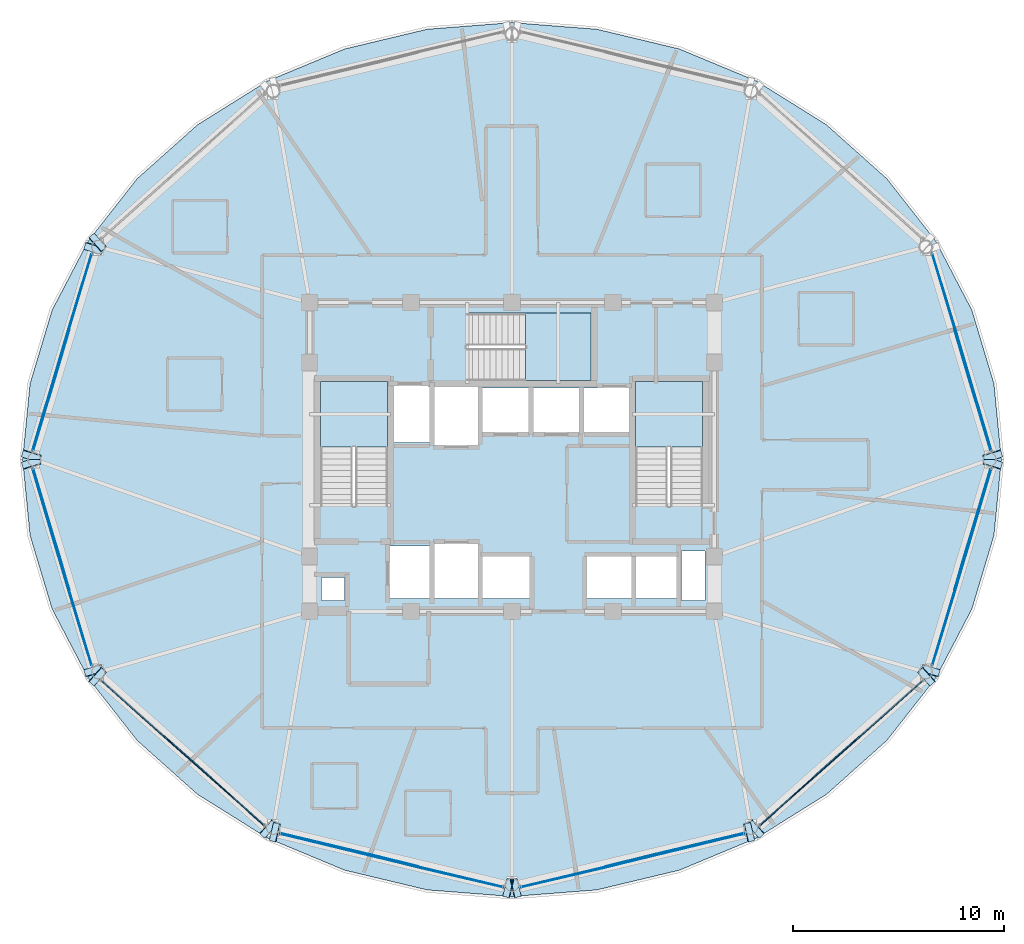
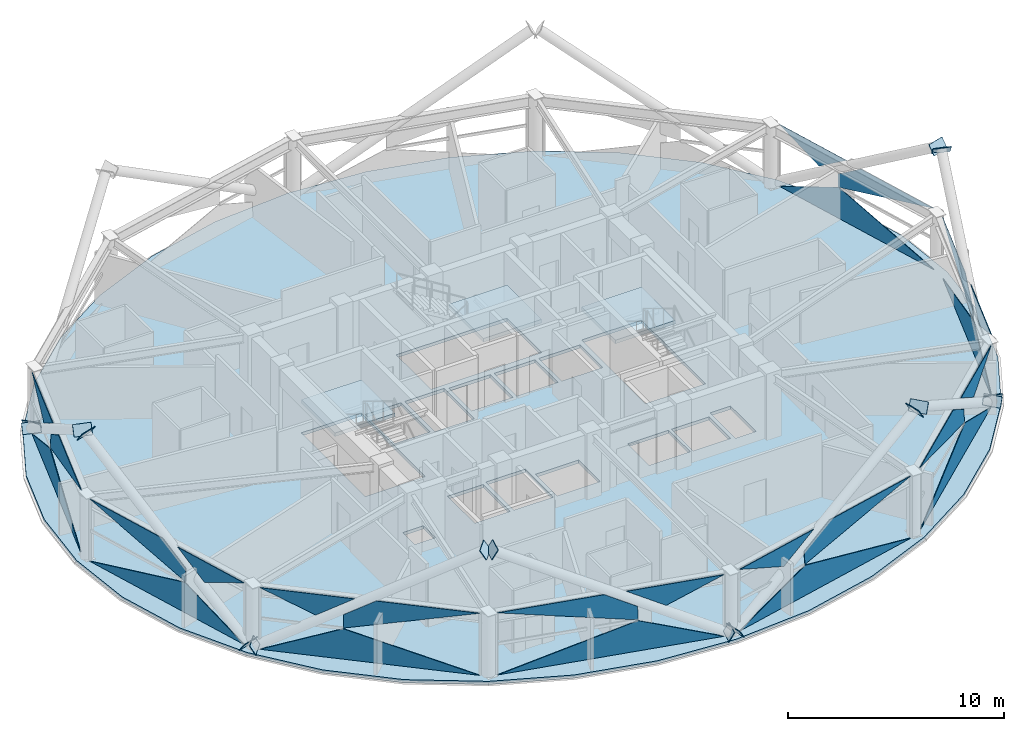
# One storey, part 21 of 30: 40 plates, 4 slabs, 11 elements without a shape of their own.
"""IFC4 building model written with IfcOpenShell, lengths in metres."""

import ifcopenshell
import ifcopenshell.guid

model = None  # the IFC model being written
_history = None  # IfcOwnerHistory: only IFC2X3 demands one
_inside = {}  # id of a spatial element -> (the spatial element, [elements in it])
_under = {}  # id of a project, library or spatial element -> (it, [spatial elements below it])
_declared = {}  # id of a project -> (the project, [libraries it declares])
_typed = {}  # id of a type object -> (the type object, [elements of that type])
_made_of = {}  # id of a material, layer set ... -> (it, [elements and type objects made of it])


def new_model(schema):
    """Start an empty IFC model of exactly this schema.

    Asked for "IFC4X3", IfcOpenShell would pick the latest addendum, in which some entities
    have other attributes; the version numbers below select the first issue.
    IFC2X3 requires an IfcOwnerHistory on every rooted entity: one is made here for all.
    """
    global model, _history
    if schema == "IFC4X3":
        model = ifcopenshell.file(schema_version=(4, 3, 0, 0))
    else:
        model = ifcopenshell.file(schema=schema)
    _inside.clear()
    _under.clear()
    _declared.clear()
    _typed.clear()
    _made_of.clear()
    _history = None
    if model.schema == "IFC2X3":
        org = make("IfcOrganization", Name="unknown")
        user = make(
            "IfcPersonAndOrganization",
            ThePerson=make("IfcPerson", FamilyName="unknown"),
            TheOrganization=org,
        )
        app = make(
            "IfcApplication",
            ApplicationDeveloper=org,
            Version="unknown",
            ApplicationFullName="unknown",
            ApplicationIdentifier="unknown",
        )
        _history = make(
            "IfcOwnerHistory",
            OwningUser=user,
            OwningApplication=app,
            ChangeAction="ADDED",
            CreationDate=0,
        )
    return model


def make(cls, **values):
    """One entity of the class cls with the attributes given. An attribute that is None is left unset."""
    return model.create_entity(
        cls, **{name: value for name, value in values.items() if value is not None}
    )


def rooted(cls, **values):
    """An entity with a GlobalId (a new one), such as an element, a storey or a relation."""
    return make(cls, GlobalId=ifcopenshell.guid.new(), OwnerHistory=_history, **values)


def si_unit(unit_type, name, prefix=None):
    """IfcSIUnit, for example si_unit("LENGTHUNIT", "METRE", prefix="MILLI")."""
    return make("IfcSIUnit", UnitType=unit_type, Prefix=prefix, Name=name)


def assignment(units):
    """IfcUnitAssignment: the units of a project."""
    return None if units is None else make("IfcUnitAssignment", Units=units)


def point(xyz):
    """IfcCartesianPoint."""
    return None if xyz is None else make("IfcCartesianPoint", Coordinates=xyz)


def direction(xyz):
    """IfcDirection."""
    return None if xyz is None else make("IfcDirection", DirectionRatios=xyz)


def frame(location, z_axis=None, x_axis=None):
    """IfcAxis2Placement3D, a coordinate frame: its origin and axes. An axis left out is left unset."""
    return make(
        "IfcAxis2Placement3D",
        Location=point(location),
        Axis=direction(z_axis),
        RefDirection=direction(x_axis),
    )


def origin():
    """The frame at (0, 0, 0) with its axes left unset."""
    return frame((0.0, 0.0, 0.0))


def place(relative_to, where):
    """IfcLocalPlacement: puts the frame where relative to a parent placement (None: the world)."""
    return make(
        "IfcLocalPlacement", PlacementRelTo=relative_to, RelativePlacement=where
    )


def context(
    kind, dimensions, precision=None, world=None, true_north=None, identifier=None
):
    """IfcGeometricRepresentationContext, for example the 3D "Model" context."""
    return make(
        "IfcGeometricRepresentationContext",
        ContextIdentifier=identifier,
        ContextType=kind,
        CoordinateSpaceDimension=dimensions,
        Precision=precision,
        WorldCoordinateSystem=world,
        TrueNorth=true_north,
    )


def subcontext(parent, identifier, kind, view, scale=None):
    """IfcGeometricRepresentationSubContext, for example "Body" below "Model"."""
    return make(
        "IfcGeometricRepresentationSubContext",
        ContextIdentifier=identifier,
        ContextType=kind,
        ParentContext=parent,
        TargetScale=scale,
        TargetView=view,
    )


def project(units=None, contexts=None):
    """IfcProject with its units and contexts."""
    return rooted(
        "IfcProject",
        Name="project",
        RepresentationContexts=contexts,
        UnitsInContext=assignment(units),
    )


def spatial(cls, under=None, at=None, **own):
    """A site, building, storey or space (cls), placed at a placement, below another one or the project."""
    s = rooted(cls, ObjectPlacement=at, **own)
    if under is not None:
        _under.setdefault(under.id(), (under, []))[1].append(s)
    return s


def polyline(points):
    """IfcPolyline through the points."""
    return make("IfcPolyline", Points=[point(p) for p in points])


def outline(outer, holes=None, kind="AREA"):
    """IfcArbitraryClosedProfileDef: a profile drawn as a closed curve; with holes, ...WithVoids."""
    if holes is None:
        return make("IfcArbitraryClosedProfileDef", ProfileType=kind, OuterCurve=outer)
    return make(
        "IfcArbitraryProfileDefWithVoids",
        ProfileType=kind,
        OuterCurve=outer,
        InnerCurves=holes,
    )


def extrude(swept, where, along, depth):
    """IfcExtrudedAreaSolid: the profile swept, set in the frame where, extruded along a direction by depth."""
    return make(
        "IfcExtrudedAreaSolid",
        SweptArea=swept,
        Position=where,
        ExtrudedDirection=direction(along),
        Depth=depth,
    )


def shape(context_of_items, identifier, shape_type, items):
    """IfcShapeRepresentation: the items that make up one representation, for example the "Body"."""
    return make(
        "IfcShapeRepresentation",
        ContextOfItems=context_of_items,
        RepresentationIdentifier=identifier,
        RepresentationType=shape_type,
        Items=items,
    )


def material(Name=None, Category=None):
    """IfcMaterial."""
    return make("IfcMaterial", Name=Name, Category=Category)


def layer(
    of_material, thickness, ventilated=None, Name=None, Category=None, Priority=None
):
    """IfcMaterialLayer: one layer of a wall or slab, of a material (None: an air gap)."""
    return make(
        "IfcMaterialLayer",
        Material=of_material,
        LayerThickness=thickness,
        IsVentilated=ventilated,
        Name=Name,
        Category=Category,
        Priority=Priority,
    )


def layer_set(layers, Name=None):
    """IfcMaterialLayerSet."""
    return make("IfcMaterialLayerSet", MaterialLayers=layers, LayerSetName=Name)


def made_of(thing, what):
    """Note that an element or type object is made of a material, layer set ...; save() writes the relation."""
    if what is not None:
        _made_of.setdefault(what.id(), (what, []))[1].append(thing)
    return thing


def type_object(cls, material=None, **own):
    """A type object (cls), such as IfcWallType, which elements share."""
    return made_of(rooted(cls, **own), material)


def element(
    cls,
    number,
    at=None,
    inside=None,
    cuts=None,
    type_object=None,
    material=None,
    context=None,
    identifier="Body",
    shape_type=None,
    held_by="IfcProductDefinitionShape",
    body=None,
    shapes=None,
    **own,
):
    """One element of the class cls, such as IfcWall. Its Tag is "e" and its number.

    at: its placement. inside: the storey or other place that contains it. cuts: it is an
    opening in that element (IfcRelVoidsElement). A single representation is given by context,
    identifier, shape_type and body (its items); several are given by shapes. held_by: the class
    of the entity that holds the representations. save() writes the other relations.
    """
    e = rooted(cls, Tag="e%d" % number, ObjectPlacement=at, **own)
    if body is not None:
        shapes = [shape(context, identifier, shape_type, body)]
    if shapes is not None:
        e.Representation = make(held_by, Representations=shapes)
    if inside is not None:
        _inside.setdefault(inside.id(), (inside, []))[1].append(e)
    if cuts is not None:
        rooted(
            "IfcRelVoidsElement", RelatingBuildingElement=cuts, RelatedOpeningElement=e
        )
    if type_object is not None:
        _typed.setdefault(type_object.id(), (type_object, []))[1].append(e)
    return made_of(e, material)


def aggregate(whole, parts):
    """IfcRelAggregates: a whole, such as a stair, and the parts it consists of."""
    return rooted("IfcRelAggregates", RelatingObject=whole, RelatedObjects=parts)


def save(model, path):
    """Write the relations noted so far, then the file.

    IfcRelAggregates (storeys below a building ...), IfcRelContainedInSpatialStructure (elements
    in a storey), IfcRelDefinesByType, IfcRelAssociatesMaterial and IfcRelDeclares: one each for
    every whole, place, type object, material and project.
    """
    for whole, parts in _under.values():
        aggregate(whole, parts)
    for where, things in _inside.values():
        rooted(
            "IfcRelContainedInSpatialStructure",
            RelatedElements=things,
            RelatingStructure=where,
        )
    for kind, things in _typed.values():
        rooted("IfcRelDefinesByType", RelatedObjects=things, RelatingType=kind)
    for what, things in _made_of.values():
        rooted("IfcRelAssociatesMaterial", RelatedObjects=things, RelatingMaterial=what)
    for by, libraries in _declared.values():
        rooted("IfcRelDeclares", RelatingContext=by, RelatedDefinitions=libraries)
    model.write(path)


model = new_model("IFC4")

# Units and contexts
model_context = context("Model", 3, precision=1e-05, world=origin(), true_north=direction((0.0, 1.0)))
body_context = subcontext(model_context, "Body", "Model", "MODEL_VIEW")
ifc_project = project(units=[si_unit("LENGTHUNIT", "METRE"), si_unit("AREAUNIT", "SQUARE_METRE"), si_unit("VOLUMEUNIT", "CUBIC_METRE"), si_unit("PLANEANGLEUNIT", "RADIAN"), si_unit("MASSUNIT", "GRAM", prefix="KILO")], contexts=[model_context])

# Site, building, storey
site_placement = place(None, origin())
site = spatial("IfcSite", under=ifc_project, at=site_placement, CompositionType="ELEMENT")
building_placement = place(site_placement, origin())
building = spatial("IfcBuilding", under=site, at=building_placement, Name="Vantalir Tower", CompositionType="ELEMENT")
storey_placement = place(building_placement, frame((0.0, 0.0, 189.89990234375)))
storey = spatial("IfcBuildingStorey", under=building, at=storey_placement, Name="L47", CompositionType="ELEMENT", Elevation=189.89990234375)

# Curtain wall, plates
ifc_material_1 = material(Name="Champagne-silver PVDF aluminium and double-silver Low-E glass", Category="aluminium")
ifc_layer_1 = layer(ifc_material_1, 0.2099609375)
ifc_layer_set_1 = layer_set([ifc_layer_1], Name="Champagne-silver PVDF aluminium and double-silver Low-E glass")
curtain_wall_type = type_object("IfcCurtainWallType", Name="CW-DIAMOND-Z3", PredefinedType="USERDEFINED", material=ifc_layer_set_1)
curtain_wall_1_placement = place(storey_placement, origin())
curtain_wall_1 = element("IfcCurtainWall", 1, at=curtain_wall_1_placement, inside=storey, type_object=curtain_wall_type, Name="L47 Quilted Pyramid-Diamond Curtain Wall S01", ObjectType="UNITISED CURTAIN WALL", PredefinedType="USERDEFINED")
ifc_material_2 = material(Name="Double-silver Low-E acoustic glass IGU", Category="glass")
ifc_layer_2 = layer(ifc_material_2, 0.031982421875)
ifc_layer_set_2 = layer_set([ifc_layer_2], Name="Double-silver Low-E acoustic glass IGU")
plate_type_1 = type_object("IfcPlateType", Name="CWP-IGU-32", PredefinedType="CURTAIN_PANEL", material=ifc_layer_set_2)
plate_1_placement = place(storey_placement, frame((54.24365234375, 25.406982421875, 0.046630859375), z_axis=(-0.957572197051, -0.28786336354, 0.013790263456), x_axis=(-0.287890080011, 0.95766345829, 4.9877006e-05)))
plate_1 = element("IfcPlate", 2, at=plate_1_placement, type_object=plate_type_1, Name="CW-L47-S01 Pyramid Diamond Facet 1L", PredefinedType="CURTAIN_PANEL", context=body_context, shape_type="SweptSolid", body=[
    extrude(outline(polyline([(0.0, 0.0), (9.789706456344458, 1.0842021724855044e-18), (6.064685400693235, -1.7259358521380224), (0.0, 0.0)])), origin(), (0.0, 0.0, -1.0), 0.031982421875),
])
plate_2_placement = place(storey_placement, frame((54.24365234375, 25.406982421875, 3.5234375), z_axis=(0.957578572553, 0.287844572591, 0.0137397022), x_axis=(-0.287871747167, 0.957668970565, 8.8367e-08)))
plate_2 = element("IfcPlate", 3, at=plate_2_placement, type_object=plate_type_1, Name="CW-L47-S01 Pyramid Diamond Facet 2U", PredefinedType="CURTAIN_PANEL", context=body_context, shape_type="SweptSolid", body=[
    extrude(outline(polyline([(0.0, 0.0), (4.605868347183028, 0.0), (6.064605261320112, -0.9817826635893582), (6.06459961884389, -1.7259931307063814), (0.0, 0.0)])), origin(), (0.0, 0.0, -1.0), 0.031982421875),
])
plate_3_placement = place(storey_placement, frame((52.668701171875, 30.770751953125, 3.523681640625), z_axis=(0.95757354259, 0.287859174583, 0.013784271486), x_axis=(-0.287886525986, 0.957664527982, 0.0)))
plate_3 = element("IfcPlate", 4, at=plate_3_placement, type_object=plate_type_1, Name="CW-L47-S01 Pyramid Diamond Facet 2U Infill Light", PredefinedType="CURTAIN_PANEL", context=body_context, shape_type="SweptSolid", body=[
    extrude(outline(polyline([(0.0, 0.0), (4.199517052279393, -3.469446951953614e-18), (1.7124565898056394, -1.152209077975093), (0.0, 0.0)])), origin(), (0.0, 0.0, -1.0), 0.031982421875),
])
aggregate(curtain_wall_1, [plate_1, plate_2, plate_3])

curtain_wall_2_placement = place(storey_placement, origin())
curtain_wall_2 = element("IfcCurtainWall", 5, at=curtain_wall_2_placement, inside=storey, type_object=curtain_wall_type, Name="L47 Quilted Pyramid-Diamond Curtain Wall S06", ObjectType="UNITISED CURTAIN WALL", PredefinedType="USERDEFINED")
plate_4_placement = place(storey_placement, frame((11.57470703125, 34.7822265625, 0.047119140625), z_axis=(0.957572197051, -0.28786336354, 0.013790263456), x_axis=(-0.287890080011, -0.95766345829, -4.9877006e-05)))
plate_4 = element("IfcPlate", 6, at=plate_4_placement, type_object=plate_type_1, Name="CW-L47-S06 Pyramid Diamond Facet 1L", PredefinedType="CURTAIN_PANEL", context=body_context, shape_type="SweptSolid", body=[
    extrude(outline(polyline([(0.0, 0.0), (9.789706456344458, -1.0842021724855044e-18), (3.725021055651224, -1.7259358521380221), (0.0, 0.0)])), origin(), (0.0, 0.0, -1.0), 0.031982421875),
])
plate_5_placement = place(storey_placement, frame((10.082275390625, 29.81787109375, 3.5234375), z_axis=(-0.957578572553, 0.287844572591, 0.0137397022), x_axis=(-0.287871747167, -0.957668970565, -8.8367e-08)))
plate_5 = element("IfcPlate", 7, at=plate_5_placement, type_object=plate_type_1, Name="CW-L47-S06 Pyramid Diamond Facet 2U", PredefinedType="CURTAIN_PANEL", context=body_context, shape_type="SweptSolid", body=[
    extrude(outline(polyline([(0.0, 0.0), (4.605868347183028, 0.0), (-1.4587312716608622, -1.7259931307063814), (-1.4587369141370834, -0.9817826635893582), (0.0, 0.0)])), origin(), (0.0, 0.0, -1.0), 0.031982421875),
])
plate_6_placement = place(storey_placement, frame((11.540283203125, 34.79248046875, 3.523681640625), z_axis=(-0.95757354259, 0.287859174583, 0.013784271486), x_axis=(-0.287886525986, -0.957664527982, 0.0)))
plate_6 = element("IfcPlate", 8, at=plate_6_placement, type_object=plate_type_1, Name="CW-L47-S06 Pyramid Diamond Facet 2U Infill Light", PredefinedType="CURTAIN_PANEL", context=body_context, shape_type="SweptSolid", body=[
    extrude(outline(polyline([(0.0, 0.0), (4.199517052279393, 3.469446951953614e-18), (2.487060462473754, -1.152209077975093), (0.0, 0.0)])), origin(), (0.0, 0.0, -1.0), 0.031982421875),
])
aggregate(curtain_wall_2, [plate_4, plate_5, plate_6])

curtain_wall_3_placement = place(storey_placement, origin())
curtain_wall_3 = element("IfcCurtainWall", 9, at=curtain_wall_3_placement, inside=storey, type_object=curtain_wall_type, Name="L47 Quilted Pyramid-Diamond Curtain Wall S07", ObjectType="UNITISED CURTAIN WALL", PredefinedType="USERDEFINED")
plate_7_placement = place(storey_placement, frame((8.75634765625, 24.593017578125, 0.046630859375), z_axis=(0.957572197051, 0.28786336354, 0.013790263456), x_axis=(0.287890080011, -0.95766345829, 4.9877006e-05)))
plate_7 = element("IfcPlate", 10, at=plate_7_placement, type_object=plate_type_1, Name="CW-L47-S07 Pyramid Diamond Facet 1L", PredefinedType="CURTAIN_PANEL", context=body_context, shape_type="SweptSolid", body=[
    extrude(outline(polyline([(0.0, 0.0), (9.789706456344458, 1.0842021724855044e-18), (6.064685400693235, -1.7259358521380224), (0.0, 0.0)])), origin(), (0.0, 0.0, -1.0), 0.031982421875),
])
plate_8_placement = place(storey_placement, frame((8.75634765625, 24.593017578125, 3.5234375), z_axis=(-0.957578572553, -0.287844572591, 0.0137397022), x_axis=(0.287871747167, -0.957668970565, 8.8367e-08)))
plate_8 = element("IfcPlate", 11, at=plate_8_placement, type_object=plate_type_1, Name="CW-L47-S07 Pyramid Diamond Facet 2U", PredefinedType="CURTAIN_PANEL", context=body_context, shape_type="SweptSolid", body=[
    extrude(outline(polyline([(0.0, 0.0), (4.605868347183028, 0.0), (6.064605261320112, -0.9817826635893582), (6.06459961884389, -1.7259931307063814), (0.0, 0.0)])), origin(), (0.0, 0.0, -1.0), 0.031982421875),
])
plate_9_placement = place(storey_placement, frame((10.331298828125, 19.229248046875, 3.523681640625), z_axis=(-0.95757354259, -0.287859174583, 0.013784271486), x_axis=(0.287886525986, -0.957664527982, 0.0)))
plate_9 = element("IfcPlate", 12, at=plate_9_placement, type_object=plate_type_1, Name="CW-L47-S07 Pyramid Diamond Facet 2U Infill Light", PredefinedType="CURTAIN_PANEL", context=body_context, shape_type="SweptSolid", body=[
    extrude(outline(polyline([(0.0, 0.0), (4.199517052279393, -3.469446951953614e-18), (1.7124565898056394, -1.152209077975093), (0.0, 0.0)])), origin(), (0.0, 0.0, -1.0), 0.031982421875),
])
aggregate(curtain_wall_3, [plate_7, plate_8, plate_9])

curtain_wall_4_placement = place(storey_placement, origin())
curtain_wall_4 = element("IfcCurtainWall", 13, at=curtain_wall_4_placement, inside=storey, type_object=curtain_wall_type, Name="L47 Quilted Pyramid-Diamond Curtain Wall S08", ObjectType="UNITISED CURTAIN WALL", PredefinedType="USERDEFINED")
plate_10_placement = place(storey_placement, frame((12.01416015625, 14.5283203125, 0.046875), z_axis=(0.665244579189, 0.746503080153, 0.013520398768), x_axis=(0.746571532091, -0.665305153231, -2.3562302e-05)))
plate_10 = element("IfcPlate", 14, at=plate_10_placement, type_object=plate_type_1, Name="CW-L47-S08 Pyramid Diamond Facet 1L", PredefinedType="CURTAIN_PANEL", context=body_context, shape_type="SweptSolid", body=[
    extrude(outline(polyline([(0.0, 0.0), (10.361492999146593, 4.7704895589362195e-18), (3.9384075303924373, -1.726324811496382), (0.0, 0.0)])), origin(), (0.0, 0.0, -1.0), 0.031982421875),
])
plate_11_placement = place(storey_placement, frame((16.103759765625, 10.884033203125, 3.5234375), z_axis=(-0.665226089635, -0.74651876748, 0.013563903159), x_axis=(0.746587443318, -0.665287298451, -6.31857e-07)))
plate_11 = element("IfcPlate", 15, at=plate_11_placement, type_object=plate_type_1, Name="CW-L47-S08 Pyramid Diamond Facet 2U", PredefinedType="CURTAIN_PANEL", context=body_context, shape_type="SweptSolid", body=[
    extrude(outline(polyline([(0.0, 0.0), (4.8837513509736326, 6.938893903907228e-18), (-1.5392929092653138, -1.7262339944749026), (-1.539244735768572, -0.983004645162473), (0.0, 0.0)])), origin(), (0.0, 0.0, -1.0), 0.031982421875),
])
plate_12_placement = place(storey_placement, frame((11.990234375, 14.50146484375, 3.523681640625), z_axis=(-0.665250718427, -0.74649531771, 0.01364632808), x_axis=(0.746565330812, -0.665312110087, 5.4789764e-05)))
plate_12 = element("IfcPlate", 16, at=plate_12_placement, type_object=plate_type_1, Name="CW-L47-S08 Pyramid Diamond Facet 2U Infill Light", PredefinedType="CURTAIN_PANEL", context=body_context, shape_type="SweptSolid", body=[
    extrude(outline(polyline([(0.0, 0.0), (4.45595317510096, 3.9302328752599536e-18), (2.6422688432372192, -1.1582116028192906), (0.0, 0.0)])), origin(), (0.0, 0.0, -1.0), 0.031982421875),
])
aggregate(curtain_wall_4, [plate_10, plate_11, plate_12])

curtain_wall_5_placement = place(storey_placement, origin())
curtain_wall_5 = element("IfcCurtainWall", 17, at=curtain_wall_5_placement, inside=storey, type_object=curtain_wall_type, Name="L47 Quilted Pyramid-Diamond Curtain Wall S09", ObjectType="UNITISED CURTAIN WALL", PredefinedType="USERDEFINED")
plate_13_placement = place(storey_placement, frame((20.480224609375, 7.253173828125, 0.046630859375), z_axis=(0.232216660483, 0.972566698325, 0.013763716923), x_axis=(0.972658761071, -0.232238958857, 2.2388794e-05)))
plate_13 = element("IfcPlate", 18, at=plate_13_placement, type_object=plate_type_1, Name="CW-L47-S09 Pyramid Diamond Facet 1L", PredefinedType="CURTAIN_PANEL", context=body_context, shape_type="SweptSolid", body=[
    extrude(outline(polyline([(0.0, 0.0), (10.904590321916928, -3.7947076036992655e-19), (6.7556953093194325, -1.7265747973905767), (0.0, 0.0)])), origin(), (0.0, 0.0, -1.0), 0.031982421875),
])
plate_14_placement = place(storey_placement, frame((20.480224609375, 7.253173828125, 3.523681640625), z_axis=(-0.232210591494, -0.972567829061, 0.013786191413), x_axis=(0.972660111943, -0.232233297324, -4.7431306e-05)))
plate_14 = element("IfcPlate", 19, at=plate_14_placement, type_object=plate_type_1, Name="CW-L47-S09 Pyramid Diamond Facet 2U", PredefinedType="CURTAIN_PANEL", context=body_context, shape_type="SweptSolid", body=[
    extrude(outline(polyline([(0.0, 0.0), (5.148072607512389, -4.960224939121183e-18), (6.755753025522444, -0.9792648179176363), (6.755738402443058, -1.726406175004286), (0.0, 0.0)])), origin(), (0.0, 0.0, -1.0), 0.031982421875),
])
plate_15_placement = place(storey_placement, frame((26.50732421875, 5.777099609375, 3.52392578125), z_axis=(-0.232244864298, -0.972561081245, 0.013684526107), x_axis=(0.972652157973, -0.232266613165, 0.0)))
plate_15 = element("IfcPlate", 20, at=plate_15_placement, type_object=plate_type_1, Name="CW-L47-S09 Pyramid Diamond Facet 2U Infill Light", PredefinedType="CURTAIN_PANEL", context=body_context, shape_type="SweptSolid", body=[
    extrude(outline(polyline([(0.0, 0.0), (4.699567964155936, 1.734723475976807e-18), (1.9074195960909428, -1.1619740387322766), (0.0, 0.0)])), origin(), (0.0, 0.0, -1.0), 0.031982421875),
])
aggregate(curtain_wall_5, [plate_13, plate_14, plate_15])

curtain_wall_6_placement = place(storey_placement, origin())
curtain_wall_6 = element("IfcCurtainWall", 21, at=curtain_wall_6_placement, inside=storey, type_object=curtain_wall_type, Name="L47 Quilted Pyramid-Diamond Curtain Wall S10", ObjectType="UNITISED CURTAIN WALL", PredefinedType="USERDEFINED")
plate_16_placement = place(storey_placement, frame((31.913330078125, 4.720703125, 0.046875), z_axis=(-0.232216660483, 0.972566698325, 0.013763716923), x_axis=(0.972658761071, 0.232238958857, -2.2388794e-05)))
plate_16 = element("IfcPlate", 22, at=plate_16_placement, type_object=plate_type_1, Name="CW-L47-S10 Pyramid Diamond Facet 1L", PredefinedType="CURTAIN_PANEL", context=body_context, shape_type="SweptSolid", body=[
    extrude(outline(polyline([(0.0, 0.0), (10.904590321916928, 3.7947076036992655e-19), (4.148895012597495, -1.7265747973905767), (0.0, 0.0)])), origin(), (0.0, 0.0, -1.0), 0.031982421875),
])
plate_17_placement = place(storey_placement, frame((37.512451171875, 6.0576171875, 3.5234375), z_axis=(0.232210591494, -0.972567829061, 0.013786191413), x_axis=(0.972660111943, 0.232233297324, 4.7431306e-05)))
plate_17 = element("IfcPlate", 23, at=plate_17_placement, type_object=plate_type_1, Name="CW-L47-S10 Pyramid Diamond Facet 2U", PredefinedType="CURTAIN_PANEL", context=body_context, shape_type="SweptSolid", body=[
    extrude(outline(polyline([(0.0, 0.0), (5.148072607512389, 4.960224939121183e-18), (-1.6076657949306692, -1.7264061750042863), (-1.6076804180100557, -0.9792648179176363), (0.0, 0.0)])), origin(), (0.0, 0.0, -1.0), 0.031982421875),
])
plate_18_placement = place(storey_placement, frame((31.921630859375, 4.685546875, 3.52392578125), z_axis=(0.232244864298, -0.972561081245, 0.013684526107), x_axis=(0.972652157973, 0.232266613165, 0.0)))
plate_18 = element("IfcPlate", 24, at=plate_18_placement, type_object=plate_type_1, Name="CW-L47-S10 Pyramid Diamond Facet 2U Infill Light", PredefinedType="CURTAIN_PANEL", context=body_context, shape_type="SweptSolid", body=[
    extrude(outline(polyline([(0.0, 0.0), (4.699567964155936, -1.734723475976807e-18), (2.792148368064993, -1.1619740387322766), (0.0, 0.0)])), origin(), (0.0, 0.0, -1.0), 0.031982421875),
])
aggregate(curtain_wall_6, [plate_16, plate_17, plate_18])

curtain_wall_7_placement = place(storey_placement, origin())
curtain_wall_7 = element("IfcCurtainWall", 25, at=curtain_wall_7_placement, inside=storey, type_object=curtain_wall_type, Name="L47 Quilted Pyramid-Diamond Curtain Wall S11", ObjectType="UNITISED CURTAIN WALL", PredefinedType="USERDEFINED")
plate_19_placement = place(storey_placement, frame((43.250244140625, 7.634765625, 0.046630859375), z_axis=(-0.665244579189, 0.746503080153, 0.013520398768), x_axis=(0.746571532091, 0.665305153231, 2.3562302e-05)))
plate_19 = element("IfcPlate", 26, at=plate_19_placement, type_object=plate_type_1, Name="CW-L47-S11 Pyramid Diamond Facet 1L", PredefinedType="CURTAIN_PANEL", context=body_context, shape_type="SweptSolid", body=[
    extrude(outline(polyline([(0.0, 0.0), (10.361492999146593, -4.7704895589362195e-18), (6.423085468754156, -1.726324811496382), (0.0, 0.0)])), origin(), (0.0, 0.0, -1.0), 0.031982421875),
])
plate_20_placement = place(storey_placement, frame((43.250244140625, 7.634765625, 3.5234375), z_axis=(0.665226089635, -0.74651876748, 0.013563903159), x_axis=(0.746587443318, 0.665287298451, 6.31857e-07)))
plate_20 = element("IfcPlate", 27, at=plate_20_placement, type_object=plate_type_1, Name="CW-L47-S11 Pyramid Diamond Facet 2U", PredefinedType="CURTAIN_PANEL", context=body_context, shape_type="SweptSolid", body=[
    extrude(outline(polyline([(0.0, 0.0), (4.8837513509736326, -6.938893903907228e-18), (6.422996086742205, -0.983004645162473), (6.423044260238947, -1.7262339944749026), (0.0, 0.0)])), origin(), (0.0, 0.0, -1.0), 0.031982421875),
])
plate_21_placement = place(storey_placement, frame((47.68310546875, 11.536865234375, 3.52392578125), z_axis=(0.665250718427, -0.74649531771, 0.01364632808), x_axis=(0.746565330812, 0.665312110087, -5.4789764e-05)))
plate_21 = element("IfcPlate", 28, at=plate_21_placement, type_object=plate_type_1, Name="CW-L47-S11 Pyramid Diamond Facet 2U Infill Light", PredefinedType="CURTAIN_PANEL", context=body_context, shape_type="SweptSolid", body=[
    extrude(outline(polyline([(0.0, 0.0), (4.45595317510096, -3.9302328752599536e-18), (1.8136843318637406, -1.1582116028192908), (0.0, 0.0)])), origin(), (0.0, 0.0, -1.0), 0.031982421875),
])
aggregate(curtain_wall_7, [plate_19, plate_20, plate_21])

curtain_wall_8_placement = place(storey_placement, origin())
curtain_wall_8 = element("IfcCurtainWall", 29, at=curtain_wall_8_placement, inside=storey, type_object=curtain_wall_type, Name="L47 Quilted Pyramid-Diamond Curtain Wall S12", ObjectType="UNITISED CURTAIN WALL", PredefinedType="USERDEFINED")
plate_22_placement = place(storey_placement, frame((51.42529296875, 15.2177734375, 0.047119140625), z_axis=(-0.957572197051, 0.28786336354, 0.013790263456), x_axis=(0.287890080011, 0.95766345829, -4.9877006e-05)))
plate_22 = element("IfcPlate", 30, at=plate_22_placement, type_object=plate_type_1, Name="CW-L47-S12 Pyramid Diamond Facet 1L", PredefinedType="CURTAIN_PANEL", context=body_context, shape_type="SweptSolid", body=[
    extrude(outline(polyline([(0.0, 0.0), (9.789706456344458, -1.0842021724855044e-18), (3.725021055651224, -1.7259358521380221), (0.0, 0.0)])), origin(), (0.0, 0.0, -1.0), 0.031982421875),
])
plate_23_placement = place(storey_placement, frame((52.917724609375, 20.18212890625, 3.5234375), z_axis=(0.957578572553, -0.287844572591, 0.0137397022), x_axis=(0.287871747167, 0.957668970565, -8.8367e-08)))
plate_23 = element("IfcPlate", 31, at=plate_23_placement, type_object=plate_type_1, Name="CW-L47-S12 Pyramid Diamond Facet 2U", PredefinedType="CURTAIN_PANEL", context=body_context, shape_type="SweptSolid", body=[
    extrude(outline(polyline([(0.0, 0.0), (4.605868347183028, 0.0), (-1.4587312716608622, -1.7259931307063814), (-1.4587369141370834, -0.9817826635893582), (0.0, 0.0)])), origin(), (0.0, 0.0, -1.0), 0.031982421875),
])
plate_24_placement = place(storey_placement, frame((51.459716796875, 15.20751953125, 3.523681640625), z_axis=(0.95757354259, -0.287859174583, 0.013784271486), x_axis=(0.287886525986, 0.957664527982, 0.0)))
plate_24 = element("IfcPlate", 32, at=plate_24_placement, type_object=plate_type_1, Name="CW-L47-S12 Pyramid Diamond Facet 2U Infill Light", PredefinedType="CURTAIN_PANEL", context=body_context, shape_type="SweptSolid", body=[
    extrude(outline(polyline([(0.0, 0.0), (4.199517052279393, 3.469446951953614e-18), (2.487060462473754, -1.152209077975093), (0.0, 0.0)])), origin(), (0.0, 0.0, -1.0), 0.031982421875),
])
aggregate(curtain_wall_8, [plate_22, plate_23, plate_24])

# Plates
ifc_material_3 = material(Name="Steel S460", Category="steel")
ifc_layer_3 = layer(ifc_material_3, 0.035888671875)
ifc_layer_set_3 = layer_set([ifc_layer_3], Name="Steel S460")
plate_type_2 = type_object("IfcPlateType", Name="PLT-KN-Z2", PredefinedType="USERDEFINED", material=ifc_layer_set_3)
plate_25_placement = place(storey_placement, frame((53.9453125, 24.870849609375, 6.892333984375), z_axis=(0.238910999387, -0.794528680043, 0.558252372106), x_axis=(0.957642842649, 0.287958653149, 0.0)))
element("IfcPlate", 33, at=plate_25_placement, inside=storey, type_object=plate_type_2, Name="Node Cap Plate MEM-DG-L47-R04R End", ObjectType="FLANGE_PLATE", PredefinedType="USERDEFINED", context=body_context, shape_type="SweptSolid", body=[
    extrude(outline(polyline([(0.0, 0.0), (0.8800498473614676, 0.0), (0.8800224849608475, 0.5799902126825969), (-2.7362400620206673e-05, 0.5799902126825969), (0.0, 0.0)])), origin(), (0.0, 0.0, -1.0), 0.035888671875),
])
for number, where, z_axis, x_axis, name in (
    (34, (11.174560546875, 34.9794921875, -0.033203125), (-0.238910999387, -0.794528680043, 0.558252372106), (0.957642842649, -0.287958653149, 0.0), "Node Cap Plate MEM-DG-L47-R16L Start"),
    (35, (8.2119140625, 25.124267578125, 6.892333984375), (-0.238910999387, -0.794528680043, 0.558252372106), (0.957642842649, -0.287958653149, 0.0), "Node Cap Plate MEM-DG-L47-R16L End"),
):
    element("IfcPlate", number, at=place(storey_placement, frame(where, z_axis=z_axis, x_axis=x_axis)), inside=storey, type_object=plate_type_2, Name=name, ObjectType="FLANGE_PLATE", PredefinedType="USERDEFINED", context=body_context, shape_type="SweptSolid", body=[
        extrude(outline(polyline([(0.0, 0.0), (0.8800498473614676, 0.0), (0.8800772097620879, 0.5799902126825969), (2.7362400620206673e-05, 0.5799902126825969), (0.0, 0.0)])), origin(), (0.0, 0.0, -1.0), 0.035888671875),
    ])
plate_26_placement = place(storey_placement, frame((12.249755859375, 35.09228515625, -0.04150390625), z_axis=(0.629128465513, 0.560628041732, 0.538417656383), x_axis=(-0.665293215937, 0.746582170178, 0.0)))
element("IfcPlate", 36, at=plate_26_placement, inside=storey, type_object=plate_type_2, Name="Node Cap Plate MEM-DG-L47-R16R Start", ObjectType="FLANGE_PLATE", PredefinedType="USERDEFINED", context=body_context, shape_type="SweptSolid", body=[
    extrude(outline(polyline([(0.0, 0.0), (0.8799867558024528, -2.7755575615628914e-17), (0.8799900747473969, 0.5800192446545094), (3.3189449440564434e-06, 0.5800192446545095), (0.0, 0.0)])), origin(), (0.0, 0.0, -1.0), 0.035888671875),
])
for number, where, z_axis, x_axis, name in (
    (37, (11.664306640625, 14.250732421875, -0.04150390625), (0.629128465513, -0.560628041732, 0.538417656383), (0.665293215937, 0.746582170178, 0.0), "Node Cap Plate MEM-DG-L47-R22L Start"),
    (38, (19.77001953125, 7.02734375, 6.892333984375), (0.629128465513, -0.560628041732, 0.538417656383), (0.665293215937, 0.746582170178, 0.0), "Node Cap Plate MEM-DG-L47-R22L End"),
):
    element("IfcPlate", number, at=place(storey_placement, frame(where, z_axis=z_axis, x_axis=x_axis)), inside=storey, type_object=plate_type_2, Name=name, ObjectType="FLANGE_PLATE", PredefinedType="USERDEFINED", context=body_context, shape_type="SweptSolid", body=[
        extrude(outline(polyline([(0.0, 0.0), (0.8799867558024528, 2.7755575615628914e-17), (0.8799834368575088, 0.5800192446545095), (-3.3189449440564434e-06, 0.5800192446545095), (0.0, 0.0)])), origin(), (0.0, 0.0, -1.0), 0.035888671875),
    ])
for number, where, z_axis, x_axis, name in (
    (39, (12.017333984375, 15.27392578125, -0.033203125), (-0.238910999387, 0.794528680043, 0.558252372106), (-0.957642842649, -0.287958653149, 0.0), "Node Cap Plate MEM-DG-L47-R22R Start"),
    (40, (9.0546875, 25.129150390625, 6.892333984375), (-0.238910999387, 0.794528680043, 0.558252372106), (-0.957642842649, -0.287958653149, 0.0), "Node Cap Plate MEM-DG-L47-R22R End"),
):
    element("IfcPlate", number, at=place(storey_placement, frame(where, z_axis=z_axis, x_axis=x_axis)), inside=storey, type_object=plate_type_2, Name=name, ObjectType="FLANGE_PLATE", PredefinedType="USERDEFINED", context=body_context, shape_type="SweptSolid", body=[
        extrude(outline(polyline([(0.0, 0.0), (0.8800498473614676, 0.0), (0.8800224849608475, 0.5799902126825969), (-2.7362400620206673e-05, 0.5799902126825969), (0.0, 0.0)])), origin(), (0.0, 0.0, -1.0), 0.035888671875),
    ])
plate_27_placement = place(storey_placement, frame((31.938232421875, 4.2744140625, -0.049072265625), z_axis=(0.83068700675, 0.19834118518, 0.520211371539), x_axis=(-0.232247903057, 0.972656625598, 1.4316335e-05)))
element("IfcPlate", 41, at=plate_27_placement, inside=storey, type_object=plate_type_2, Name="Node Cap Plate MEM-DG-L47-R28L Start", ObjectType="FLANGE_PLATE", PredefinedType="USERDEFINED", context=body_context, shape_type="SweptSolid", body=[
    extrude(outline(polyline([(0.0, 0.0), (0.8797736737259441, -1.3877787807814457e-17), (0.8797830916388361, 0.5800081455483487), (-0.00022804708359186858, 0.5800376450338418), (0.0, 0.0)])), origin(), (0.0, 0.0, -1.0), 0.035888671875),
])
plate_28_placement = place(storey_placement, frame((43.0224609375, 6.9208984375, 6.892578125), z_axis=(0.830714517152, 0.198319466873, 0.52017572036), x_axis=(-0.232208086854, 0.972666132031, 0.0)))
element("IfcPlate", 42, at=plate_28_placement, inside=storey, type_object=plate_type_2, Name="Node Cap Plate MEM-DG-L47-R28L End", ObjectType="FLANGE_PLATE", PredefinedType="USERDEFINED", context=body_context, shape_type="SweptSolid", body=[
    extrude(outline(polyline([(0.0, 0.0), (0.8800111395499287, 1.3877787807814457e-17), (0.8800011152592917, 0.5800081460435234), (-1.002429063711612e-05, 0.5800081460435234), (0.0, 0.0)])), origin(), (0.0, 0.0, -1.0), 0.035888671875),
])
plate_29_placement = place(storey_placement, frame((31.26611328125, 5.130126953125, -0.049072265625), z_axis=(-0.83068700675, 0.19834118518, 0.520211371539), x_axis=(-0.232247903057, -0.972656625598, -1.4316335e-05)))
element("IfcPlate", 43, at=plate_29_placement, inside=storey, type_object=plate_type_2, Name="Node Cap Plate MEM-DG-L47-R28R Start", ObjectType="FLANGE_PLATE", PredefinedType="USERDEFINED", context=body_context, shape_type="SweptSolid", body=[
    extrude(outline(polyline([(0.0, 0.0), (0.8797736737259441, 1.3877787807814457e-17), (0.880001720809536, 0.5800376450338418), (-9.417912892116755e-06, 0.5800081455483487), (0.0, 0.0)])), origin(), (0.0, 0.0, -1.0), 0.035888671875),
])
plate_30_placement = place(storey_placement, frame((20.181884765625, 7.77685546875, 6.892578125), z_axis=(-0.830714517152, 0.198319466873, 0.52017572036), x_axis=(-0.232208086854, -0.972666132031, 0.0)))
element("IfcPlate", 44, at=plate_30_placement, inside=storey, type_object=plate_type_2, Name="Node Cap Plate MEM-DG-L47-R28R End", ObjectType="FLANGE_PLATE", PredefinedType="USERDEFINED", context=body_context, shape_type="SweptSolid", body=[
    extrude(outline(polyline([(0.0, 0.0), (0.8800111395499287, -1.3877787807814457e-17), (0.8800211638405658, 0.5800081460435234), (1.002429063711612e-05, 0.5800081460435234), (0.0, 0.0)])), origin(), (0.0, 0.0, -1.0), 0.035888671875),
])
for number, where, z_axis, x_axis, name in (
    (45, (51.825439453125, 15.0205078125, -0.033203125), (0.238910999387, 0.794528680043, 0.558252372106), (-0.957642842649, 0.287958653149, 0.0), "Node Cap Plate MEM-DG-L47-R34L Start"),
    (46, (54.7880859375, 24.875732421875, 6.892333984375), (0.238910999387, 0.794528680043, 0.558252372106), (-0.957642842649, 0.287958653149, 0.0), "Node Cap Plate MEM-DG-L47-R34L End"),
):
    element("IfcPlate", number, at=place(storey_placement, frame(where, z_axis=z_axis, x_axis=x_axis)), inside=storey, type_object=plate_type_2, Name=name, ObjectType="FLANGE_PLATE", PredefinedType="USERDEFINED", context=body_context, shape_type="SweptSolid", body=[
        extrude(outline(polyline([(0.0, 0.0), (0.8800498473614676, 0.0), (0.8800772097620879, 0.5799902126825969), (2.7362400620206673e-05, 0.5799902126825969), (0.0, 0.0)])), origin(), (0.0, 0.0, -1.0), 0.035888671875),
    ])
for number, where, z_axis, x_axis, name in (
    (47, (50.750244140625, 14.90771484375, -0.04150390625), (-0.629128465513, -0.560628041732, 0.538417656383), (0.665293215937, -0.746582170178, 0.0), "Node Cap Plate MEM-DG-L47-R34R Start"),
    (48, (42.64453125, 7.684326171875, 6.892333984375), (-0.629128465513, -0.560628041732, 0.538417656383), (0.665293215937, -0.746582170178, 0.0), "Node Cap Plate MEM-DG-L47-R34R End"),
):
    element("IfcPlate", number, at=place(storey_placement, frame(where, z_axis=z_axis, x_axis=x_axis)), inside=storey, type_object=plate_type_2, Name=name, ObjectType="FLANGE_PLATE", PredefinedType="USERDEFINED", context=body_context, shape_type="SweptSolid", body=[
        extrude(outline(polyline([(0.0, 0.0), (0.8799867558024528, -2.7755575615628914e-17), (0.8799900747473969, 0.5800192446545094), (3.3189449440564434e-06, 0.5800192446545095), (0.0, 0.0)])), origin(), (0.0, 0.0, -1.0), 0.035888671875),
    ])

# Stair, slab
ifc_material_4 = material(Name="Concrete C40/50", Category="concrete")
stair_type = type_object("IfcStairType", Name="STR-CORE-1450", PredefinedType="HALF_TURN_STAIR", material=ifc_material_4)
stair_1_placement = place(storey_placement, origin())
stair_1 = element("IfcStair", 49, at=stair_1_placement, inside=storey, type_object=stair_type, Name="L47 Core Exit Stair 1", PredefinedType="HALF_TURN_STAIR")
ifc_layer_4 = layer(ifc_material_4, 0.199951171875)
ifc_layer_set_4 = layer_set([ifc_layer_4], Name="Concrete C40/50")
slab_type_1 = type_object("IfcSlabType", Name="SL-LAND-200", PredefinedType="LANDING", material=ifc_layer_set_4)
slab_1_placement = place(storey_placement, frame((0.0, 0.0, 1.675048828125)))
slab_1 = element("IfcSlab", 50, at=slab_1_placement, type_object=slab_type_1, Name="ST1 landing 1", PredefinedType="LANDING", context=body_context, shape_type="SweptSolid", body=[
    extrude(outline(polyline([(25.60009765625, 25.590087890625), (25.60009765625, 28.699951171875), (22.39990234375, 28.699951171875), (22.39990234375, 25.590087890625), (25.60009765625, 25.590087890625)])), origin(), (0.0, 0.0, 1.0), 0.199951171875),
])
aggregate(stair_1, [slab_1])

stair_2_placement = place(storey_placement, origin())
stair_2 = element("IfcStair", 51, at=stair_2_placement, inside=storey, type_object=stair_type, Name="L47 Core Exit Stair 2", PredefinedType="HALF_TURN_STAIR")
slab_2_placement = place(storey_placement, frame((0.0, 0.0, 1.675048828125)))
slab_2 = element("IfcSlab", 52, at=slab_2_placement, type_object=slab_type_1, Name="ST2 landing 1", PredefinedType="LANDING", context=body_context, shape_type="SweptSolid", body=[
    extrude(outline(polyline([(40.550048828125, 25.590087890625), (40.550048828125, 28.699951171875), (37.35009765625, 28.699951171875), (37.35009765625, 25.590087890625), (40.550048828125, 25.590087890625)])), origin(), (0.0, 0.0, 1.0), 0.199951171875),
])
aggregate(stair_2, [slab_2])

stair_3_placement = place(storey_placement, origin())
stair_3 = element("IfcStair", 53, at=stair_3_placement, inside=storey, type_object=stair_type, Name="L47 Core Exit Stair 3", PredefinedType="HALF_TURN_STAIR")
slab_3_placement = place(storey_placement, frame((0.0, 0.0, 1.675048828125)))
slab_3 = element("IfcSlab", 54, at=slab_3_placement, type_object=slab_type_1, Name="ST3 landing 1", PredefinedType="LANDING", context=body_context, shape_type="SweptSolid", body=[
    extrude(outline(polyline([(32.139892578125, 28.75), (35.25, 28.75), (35.25, 31.949951171875), (32.139892578125, 31.949951171875), (32.139892578125, 28.75)])), origin(), (0.0, 0.0, 1.0), 0.199951171875),
])
aggregate(stair_3, [slab_3])

# Slab
ifc_layer_5 = layer(ifc_material_4, 0.179931640625)
ifc_layer_set_5 = layer_set([ifc_layer_5], Name="Concrete C40/50")
slab_type_2 = type_object("IfcSlabType", Name="SL-TWR-180", PredefinedType="FLOOR", material=ifc_layer_set_5)
slab_4_placement = place(storey_placement, frame((0.0, 0.0, -0.179931640625)))
element("IfcSlab", 55, at=slab_4_placement, inside=storey, type_object=slab_type_2, Name="L47 Primary Structural Slab", PredefinedType="FLOOR", context=body_context, shape_type="SweptSolid", body=[
    extrude(outline(polyline([(13.7080078125, 11.669921875), (16.571044921875, 9.114013671875), (19.886962890625, 7.0400390625), (23.555908203125, 5.512939453125), (27.467041015625, 4.576904296875), (31.5, 4.261962890625), (35.532958984375, 4.576904296875), (39.444091796875, 5.512939453125), (43.113037109375, 7.0400390625), (46.428955078125, 9.114013671875), (49.2919921875, 11.669921875), (51.614013671875, 14.631103515625), (53.324951171875, 17.906982421875), (54.373046875, 21.39892578125), (54.72607421875, 25.0), (54.373046875, 28.60107421875), (53.324951171875, 32.093017578125), (51.614013671875, 35.368896484375), (49.2919921875, 38.330078125), (46.428955078125, 40.885986328125), (43.113037109375, 42.9599609375), (39.444091796875, 44.487060546875), (35.532958984375, 45.423095703125), (31.5, 45.738037109375), (27.467041015625, 45.423095703125), (23.555908203125, 44.487060546875), (19.886962890625, 42.9599609375), (16.571044921875, 40.885986328125), (13.7080078125, 38.330078125), (11.385986328125, 35.368896484375), (9.675048828125, 32.093017578125), (8.626953125, 28.60107421875), (8.27392578125, 25.0), (8.626953125, 21.39892578125), (9.675048828125, 17.906982421875), (11.385986328125, 14.631103515625), (13.7080078125, 11.669921875)]), holes=[polyline([(22.39990234375, 28.699951171875), (25.60009765625, 28.699951171875), (25.60009765625, 22.7900390625), (22.39990234375, 22.7900390625), (22.39990234375, 28.699951171875)]), polyline([(40.550048828125, 28.699951171875), (40.550048828125, 22.7900390625), (37.35009765625, 22.7900390625), (37.35009765625, 28.699951171875), (40.550048828125, 28.699951171875)]), polyline([(29.340087890625, 28.75), (29.340087890625, 31.949951171875), (35.25, 31.949951171875), (35.25, 28.75), (29.340087890625, 28.75)]), polyline([(25.699951171875, 18.39990234375), (25.699951171875, 20.89990234375), (27.60009765625, 20.89990234375), (27.60009765625, 18.39990234375), (25.699951171875, 18.39990234375)]), polyline([(25.699951171875, 28.5), (27.60009765625, 28.5), (27.60009765625, 25.800048828125), (25.699951171875, 25.800048828125), (25.699951171875, 28.5)]), polyline([(29.89990234375, 21.0), (29.89990234375, 18.39990234375), (27.800048828125, 18.39990234375), (27.800048828125, 21.0), (29.89990234375, 21.0)]), polyline([(29.89990234375, 25.699951171875), (27.800048828125, 25.699951171875), (27.800048828125, 28.5), (29.89990234375, 28.5), (29.89990234375, 25.699951171875)]), polyline([(30.10009765625, 18.39990234375), (30.10009765625, 20.39990234375), (32.39990234375, 20.39990234375), (32.39990234375, 18.39990234375), (30.10009765625, 18.39990234375)]), polyline([(37.35009765625, 20.39990234375), (39.35009765625, 20.39990234375), (39.35009765625, 18.39990234375), (37.35009765625, 18.39990234375), (37.35009765625, 20.39990234375)]), polyline([(37.199951171875, 20.39990234375), (37.199951171875, 18.39990234375), (35.0, 18.39990234375), (35.0, 20.39990234375), (37.199951171875, 20.39990234375)]), polyline([(32.300048828125, 26.300048828125), (30.10009765625, 26.300048828125), (30.10009765625, 28.39990234375), (32.300048828125, 28.39990234375), (32.300048828125, 26.300048828125)]), polyline([(32.5, 26.300048828125), (32.5, 28.39990234375), (34.699951171875, 28.39990234375), (34.699951171875, 26.300048828125), (32.5, 26.300048828125)]), polyline([(34.89990234375, 28.39990234375), (37.10009765625, 28.39990234375), (37.10009765625, 26.300048828125), (34.89990234375, 26.300048828125), (34.89990234375, 28.39990234375)]), polyline([(23.550048828125, 19.39990234375), (23.550048828125, 18.300048828125), (22.449951171875, 18.300048828125), (22.449951171875, 19.39990234375), (23.550048828125, 19.39990234375)]), polyline([(40.64990234375, 18.300048828125), (39.550048828125, 18.300048828125), (39.550048828125, 20.64990234375), (40.64990234375, 20.64990234375), (40.64990234375, 18.300048828125)])]), origin(), (0.0, 0.0, 1.0), 0.179931640625),
])

save(model, "model.ifc")
